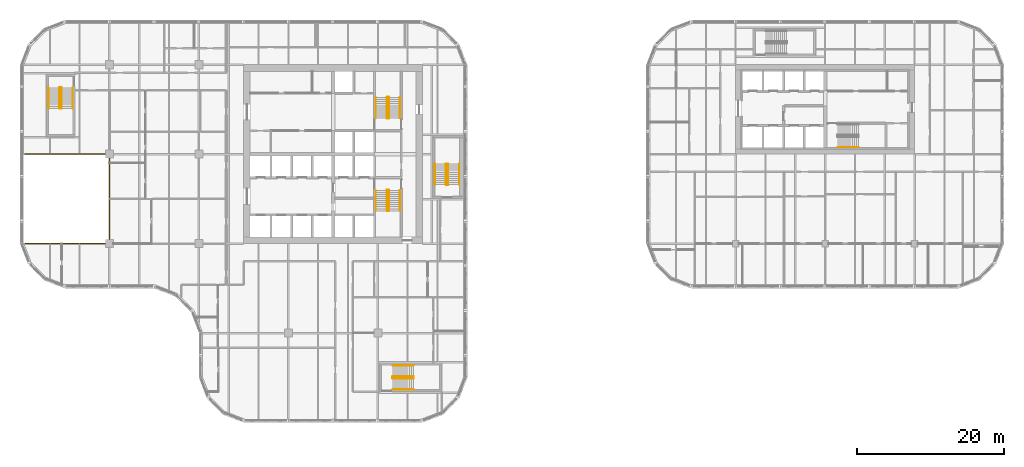
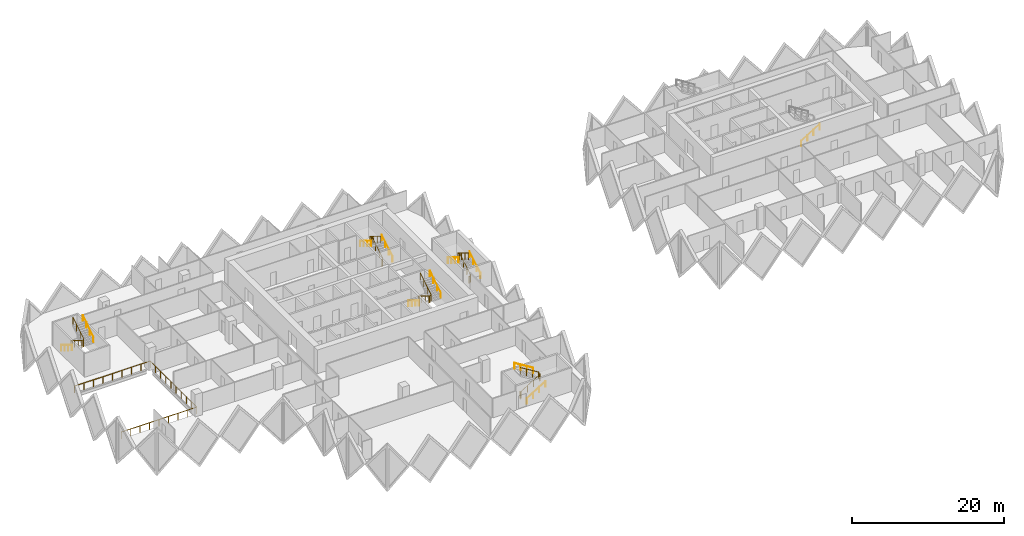
# One storey, part 18 of 19: 17 railings.
"""IFC4 building model written with IfcOpenShell, lengths in metres."""

from ifc_helpers import new_model, si_unit, direction, frame, origin, origin_2d, place, context, subcontext, project, spatial, circle, extrude, material, type_object, element, save


model = new_model("IFC4")

# Units and contexts
model_context = context("Model", 3, precision=1e-05, world=origin(), true_north=direction((0.0, 1.0)))
body_context = subcontext(model_context, "Body", "Model", "MODEL_VIEW")
ifc_project = project(units=[si_unit("LENGTHUNIT", "METRE"), si_unit("AREAUNIT", "SQUARE_METRE"), si_unit("VOLUMEUNIT", "CUBIC_METRE"), si_unit("PLANEANGLEUNIT", "RADIAN"), si_unit("MASSUNIT", "GRAM", prefix="KILO")], contexts=[model_context])

# Site, building, storey
site_placement = place(None, origin())
site = spatial("IfcSite", under=ifc_project, at=site_placement, CompositionType="ELEMENT")
building_placement = place(site_placement, origin())
building = spatial("IfcBuilding", under=site, at=building_placement, Name="Tessera Gate Towers", CompositionType="ELEMENT")
storey_placement = place(building_placement, frame((0.0, 0.0, 29.60009765625)))
storey = spatial("IfcBuildingStorey", under=building, at=storey_placement, Name="L06", CompositionType="ELEMENT", Elevation=29.60009765625)

# Railings
ifc_material_1 = material(Name="Toughened glass with stainless steel handrail", Category="steel")
railing_type_1 = type_object("IfcRailingType", Name="GUARD 1100 GLASS BALUSTRADE", PredefinedType="GUARDRAIL", material=ifc_material_1)
railing_1_placement = place(storey_placement, frame((0.750244140625, 24.39990234375, 0.0)))
element("IfcRailing", 1, at=railing_1_placement, inside=storey, type_object=railing_type_1, Name="Guard", PredefinedType="GUARDRAIL", context=body_context, shape_type="SweptSolid", body=[
    extrude(circle(Radius=0.02490234375, at=origin_2d()), frame((0.0, 0.0, 1.0751953125), z_axis=(1.0, 0.0, 0.0), x_axis=(0.0, 1.0, 0.0)), (0.0, 0.0, 1.0), 11.44970703125),
    extrude(circle(Radius=0.02490234375, at=origin_2d()), frame((11.44970703125, 0.0, 1.0751953125), z_axis=(0.0, 1.0, 0.0), x_axis=(-1.0, 0.0, 0.0)), (0.0, 0.0, 1.0), 12.2001953125),
    extrude(circle(Radius=0.02490234375, at=origin_2d()), frame((11.44970703125, 12.2001953125, 1.0751953125), z_axis=(-1.0, 0.0, 0.0), x_axis=(0.0, -1.0, 0.0)), (0.0, 0.0, 1.0), 11.5),
    extrude(circle(Radius=0.02490234375, at=origin_2d()), origin(), (0.0, 0.0, 1.0), 1.050048828125),
    extrude(circle(Radius=0.02490234375, at=origin_2d()), frame((1.43115234375, 0.0, 0.0)), (0.0, 0.0, 1.0), 1.050048828125),
    extrude(circle(Radius=0.02490234375, at=origin_2d()), frame((2.8623046875, 0.0, 0.0)), (0.0, 0.0, 1.0), 1.050048828125),
    extrude(circle(Radius=0.02490234375, at=origin_2d()), frame((4.293701171875, 0.0, 0.0)), (0.0, 0.0, 1.0), 1.050048828125),
    extrude(circle(Radius=0.02490234375, at=origin_2d()), frame((5.724853515625, 0.0, 0.0)), (0.0, 0.0, 1.0), 1.050048828125),
    extrude(circle(Radius=0.02490234375, at=origin_2d()), frame((7.156005859375, 0.0, 0.0)), (0.0, 0.0, 1.0), 1.050048828125),
    extrude(circle(Radius=0.02490234375, at=origin_2d()), frame((8.58740234375, 0.0, 0.0)), (0.0, 0.0, 1.0), 1.050048828125),
    extrude(circle(Radius=0.02490234375, at=origin_2d()), frame((10.0185546875, 0.0, 0.0)), (0.0, 0.0, 1.0), 1.050048828125),
    extrude(circle(Radius=0.02490234375, at=origin_2d()), frame((11.44970703125, 0.0, 0.0)), (0.0, 0.0, 1.0), 1.050048828125),
    extrude(circle(Radius=0.02490234375, at=origin_2d()), frame((11.44970703125, 1.35546875, 0.0)), (0.0, 0.0, 1.0), 1.050048828125),
    extrude(circle(Radius=0.02490234375, at=origin_2d()), frame((11.44970703125, 2.711181640625, 0.0)), (0.0, 0.0, 1.0), 1.050048828125),
    extrude(circle(Radius=0.02490234375, at=origin_2d()), frame((11.44970703125, 4.066650390625, 0.0)), (0.0, 0.0, 1.0), 1.050048828125),
    extrude(circle(Radius=0.02490234375, at=origin_2d()), frame((11.44970703125, 5.42236328125, 0.0)), (0.0, 0.0, 1.0), 1.050048828125),
    extrude(circle(Radius=0.02490234375, at=origin_2d()), frame((11.44970703125, 6.77783203125, 0.0)), (0.0, 0.0, 1.0), 1.050048828125),
    extrude(circle(Radius=0.02490234375, at=origin_2d()), frame((11.44970703125, 8.133544921875, 0.0)), (0.0, 0.0, 1.0), 1.050048828125),
    extrude(circle(Radius=0.02490234375, at=origin_2d()), frame((11.44970703125, 9.489013671875, 0.0)), (0.0, 0.0, 1.0), 1.050048828125),
    extrude(circle(Radius=0.02490234375, at=origin_2d()), frame((11.44970703125, 10.8447265625, 0.0)), (0.0, 0.0, 1.0), 1.050048828125),
    extrude(circle(Radius=0.02490234375, at=origin_2d()), frame((11.44970703125, 12.2001953125, 0.0)), (0.0, 0.0, 1.0), 1.050048828125),
    extrude(circle(Radius=0.02490234375, at=origin_2d()), frame((10.01220703125, 12.2001953125, 0.0)), (0.0, 0.0, 1.0), 1.050048828125),
    extrude(circle(Radius=0.02490234375, at=origin_2d()), frame((8.57470703125, 12.2001953125, 0.0)), (0.0, 0.0, 1.0), 1.050048828125),
    extrude(circle(Radius=0.02490234375, at=origin_2d()), frame((7.13720703125, 12.2001953125, 0.0)), (0.0, 0.0, 1.0), 1.050048828125),
    extrude(circle(Radius=0.02490234375, at=origin_2d()), frame((5.69970703125, 12.2001953125, 0.0)), (0.0, 0.0, 1.0), 1.050048828125),
    extrude(circle(Radius=0.02490234375, at=origin_2d()), frame((4.26220703125, 12.2001953125, 0.0)), (0.0, 0.0, 1.0), 1.050048828125),
    extrude(circle(Radius=0.02490234375, at=origin_2d()), frame((2.82470703125, 12.2001953125, 0.0)), (0.0, 0.0, 1.0), 1.050048828125),
    extrude(circle(Radius=0.02490234375, at=origin_2d()), frame((1.38720703125, 12.2001953125, 0.0)), (0.0, 0.0, 1.0), 1.050048828125),
    extrude(circle(Radius=0.02490234375, at=origin_2d()), frame((-0.05029296875, 12.2001953125, 0.0)), (0.0, 0.0, 1.0), 1.050048828125),
])
ifc_material_2 = material(Name="Steel 350W", Category="steel")
railing_type_2 = type_object("IfcRailingType", Name="STAIR GUARD 1100", PredefinedType="GUARDRAIL", material=ifc_material_2)
railing_2_placement = place(storey_placement, frame((50.27490234375, 31.72509765625, 0.0)))
element("IfcRailing", 2, at=railing_2_placement, inside=storey, type_object=railing_type_2, Name="L06 ST1 stair guard 1", PredefinedType="GUARDRAIL", context=body_context, shape_type="SweptSolid", body=[
    extrude(circle(Radius=0.02392578125, at=origin_2d()), frame((0.0, 0.0, 1.076171875), z_axis=(-1.0, 0.0, 0.0), x_axis=(0.0, -1.0, 0.0)), (0.0, 0.0, 1.0), 0.199951171875),
    extrude(circle(Radius=0.02392578125, at=origin_2d()), frame((-0.199951171875, 0.0, 1.076171875), z_axis=(-0.268277960024, -0.268277960024, 0.925231793839), x_axis=(0.707106781187, -0.707106781187, 0.0)), (0.0, 0.0, 1.0), 0.1865234375),
    extrude(circle(Radius=0.02392578125, at=origin_2d()), frame((-0.25, -0.050048828125, 1.24853515625), z_axis=(0.0, -0.851089632645, 0.525020415988), x_axis=(1.0, 0.0, 0.0)), (0.0, 0.0, 1.0), 3.2900390625),
    extrude(circle(Radius=0.02392578125, at=origin_2d()), frame((-0.25, -2.85009765625, 2.97607421875), z_axis=(0.707106781187, -0.707106781187, 0.0), x_axis=(0.707106781187, 0.707106781187, 0.0)), (0.0, 0.0, 1.0), 0.07080078125),
    extrude(circle(Radius=0.02392578125, at=origin_2d()), frame((-0.199951171875, -2.900146484375, 2.97607421875), z_axis=(1.0, 0.0, 0.0), x_axis=(0.0, 1.0, 0.0)), (0.0, 0.0, 1.0), 0.199951171875),
    extrude(circle(Radius=0.02392578125, at=origin_2d()), frame((0.0, -2.900146484375, 2.97607421875), z_axis=(0.268277960024, 0.268277960024, 0.925231793839), x_axis=(-0.707106781187, 0.707106781187, 0.0)), (0.0, 0.0, 1.0), 0.1865234375),
    extrude(circle(Radius=0.02392578125, at=origin_2d()), frame((0.050048828125, -2.85009765625, 3.1484375), z_axis=(0.0, 0.851089632645, 0.525020415988), x_axis=(-1.0, 0.0, 0.0)), (0.0, 0.0, 1.0), 3.2900390625),
    extrude(circle(Radius=0.02099609375, at=origin_2d()), origin(), (0.0, 0.0, 1.0), 1.052001953125),
    extrude(circle(Radius=0.02099609375, at=origin_2d()), frame((-0.199951171875, 0.0, 0.0)), (0.0, 0.0, 1.0), 1.052001953125),
    extrude(circle(Radius=0.02099609375, at=origin_2d()), frame((-0.25, -0.050048828125, 0.172607421875)), (0.0, 0.0, 1.0), 1.052001953125),
    extrude(circle(Radius=0.02099609375, at=origin_2d()), frame((-0.25, -0.9833984375, 0.748291015625)), (0.0, 0.0, 1.0), 1.052001953125),
    extrude(circle(Radius=0.02099609375, at=origin_2d()), frame((-0.25, -1.916748046875, 1.32421875)), (0.0, 0.0, 1.0), 1.052001953125),
    extrude(circle(Radius=0.02099609375, at=origin_2d()), frame((-0.25, -2.85009765625, 1.89990234375)), (0.0, 0.0, 1.0), 1.052001953125),
    extrude(circle(Radius=0.02099609375, at=origin_2d()), frame((-0.199951171875, -2.900146484375, 1.89990234375)), (0.0, 0.0, 1.0), 1.052001953125),
    extrude(circle(Radius=0.02099609375, at=origin_2d()), frame((0.0, -2.900146484375, 1.89990234375)), (0.0, 0.0, 1.0), 1.052001953125),
    extrude(circle(Radius=0.02099609375, at=origin_2d()), frame((0.050048828125, -2.85009765625, 2.072509765625)), (0.0, 0.0, 1.0), 1.052001953125),
    extrude(circle(Radius=0.02099609375, at=origin_2d()), frame((0.050048828125, -1.916748046875, 2.648193359375)), (0.0, 0.0, 1.0), 1.052001953125),
    extrude(circle(Radius=0.02099609375, at=origin_2d()), frame((0.050048828125, -0.9833984375, 3.22412109375)), (0.0, 0.0, 1.0), 1.052001953125),
    extrude(circle(Radius=0.02099609375, at=origin_2d()), frame((0.050048828125, -0.050048828125, 3.7998046875)), (0.0, 0.0, 1.0), 1.052001953125),
])
railing_3_placement = place(storey_placement, frame((50.074951171875, 41.47509765625, 0.0)))
element("IfcRailing", 3, at=railing_3_placement, inside=storey, type_object=railing_type_2, Name="L06 ST2 stair guard 1", PredefinedType="GUARDRAIL", context=body_context, shape_type="SweptSolid", body=[
    extrude(circle(Radius=0.02392578125, at=origin_2d()), frame((0.0, 0.0, 1.076171875), z_axis=(1.0, 0.0, 0.0), x_axis=(0.0, 1.0, 0.0)), (0.0, 0.0, 1.0), 0.199951171875),
    extrude(circle(Radius=0.02392578125, at=origin_2d()), frame((0.199951171875, 0.0, 1.076171875), z_axis=(0.268371968888, 0.267062837333, 0.925556009775), x_axis=(-0.705375805398, 0.708833529934, 0.0)), (0.0, 0.0, 1.0), 0.1865234375),
    extrude(circle(Radius=0.02392578125, at=origin_2d()), frame((0.25, 0.0498046875, 1.24853515625), z_axis=(0.0, 0.851089632645, 0.525020415988), x_axis=(-1.0, 0.0, 0.0)), (0.0, 0.0, 1.0), 3.2900390625),
    extrude(circle(Radius=0.02392578125, at=origin_2d()), frame((0.25, 2.849853515625, 2.97607421875), z_axis=(-0.707106781187, 0.707106781187, 0.0), x_axis=(-0.707106781187, -0.707106781187, 0.0)), (0.0, 0.0, 1.0), 0.07080078125),
    extrude(circle(Radius=0.02392578125, at=origin_2d()), frame((0.199951171875, 2.89990234375, 2.97607421875), z_axis=(-1.0, 0.0, 0.0), x_axis=(0.0, -1.0, 0.0)), (0.0, 0.0, 1.0), 0.199951171875),
    extrude(circle(Radius=0.02392578125, at=origin_2d()), frame((0.0, 2.89990234375, 2.97607421875), z_axis=(-0.268277960024, -0.268277960024, 0.925231793839), x_axis=(0.707106781187, -0.707106781187, 0.0)), (0.0, 0.0, 1.0), 0.1865234375),
    extrude(circle(Radius=0.02392578125, at=origin_2d()), frame((-0.050048828125, 2.849853515625, 3.1484375), z_axis=(0.0, -0.851089632645, 0.525020415988), x_axis=(1.0, 0.0, 0.0)), (0.0, 0.0, 1.0), 3.2900390625),
    extrude(circle(Radius=0.02099609375, at=origin_2d()), origin(), (0.0, 0.0, 1.0), 1.052001953125),
    extrude(circle(Radius=0.02099609375, at=origin_2d()), frame((0.199951171875, 0.0, 0.0)), (0.0, 0.0, 1.0), 1.052001953125),
    extrude(circle(Radius=0.02099609375, at=origin_2d()), frame((0.25, 0.0498046875, 0.172607421875)), (0.0, 0.0, 1.0), 1.052001953125),
    extrude(circle(Radius=0.02099609375, at=origin_2d()), frame((0.25, 0.983154296875, 0.748291015625)), (0.0, 0.0, 1.0), 1.052001953125),
    extrude(circle(Radius=0.02099609375, at=origin_2d()), frame((0.25, 1.91650390625, 1.32421875)), (0.0, 0.0, 1.0), 1.052001953125),
    extrude(circle(Radius=0.02099609375, at=origin_2d()), frame((0.25, 2.849853515625, 1.89990234375)), (0.0, 0.0, 1.0), 1.052001953125),
    extrude(circle(Radius=0.02099609375, at=origin_2d()), frame((0.199951171875, 2.89990234375, 1.89990234375)), (0.0, 0.0, 1.0), 1.052001953125),
    extrude(circle(Radius=0.02099609375, at=origin_2d()), frame((0.0, 2.89990234375, 1.89990234375)), (0.0, 0.0, 1.0), 1.052001953125),
    extrude(circle(Radius=0.02099609375, at=origin_2d()), frame((-0.050048828125, 2.849853515625, 2.072509765625)), (0.0, 0.0, 1.0), 1.052001953125),
    extrude(circle(Radius=0.02099609375, at=origin_2d()), frame((-0.050048828125, 1.91650390625, 2.648193359375)), (0.0, 0.0, 1.0), 1.052001953125),
    extrude(circle(Radius=0.02099609375, at=origin_2d()), frame((-0.050048828125, 0.983154296875, 3.22412109375)), (0.0, 0.0, 1.0), 1.052001953125),
    extrude(circle(Radius=0.02099609375, at=origin_2d()), frame((-0.050048828125, 0.0498046875, 3.7998046875)), (0.0, 0.0, 1.0), 1.052001953125),
])
railing_4_placement = place(storey_placement, frame((5.64990234375, 45.699951171875, 0.0)))
element("IfcRailing", 4, at=railing_4_placement, inside=storey, type_object=railing_type_2, Name="L06 ST3 stair guard 1", PredefinedType="GUARDRAIL", context=body_context, shape_type="SweptSolid", body=[
    extrude(circle(Radius=0.02392578125, at=origin_2d()), frame((0.0, 0.0, 1.076171875), z_axis=(-1.0, 0.0, 0.0), x_axis=(0.0, -1.0, 0.0)), (0.0, 0.0, 1.0), 0.199951171875),
    extrude(circle(Radius=0.02392578125, at=origin_2d()), frame((-0.199951171875, 0.0, 1.076171875), z_axis=(-0.268277960024, -0.268277960024, 0.925231793839), x_axis=(0.707106781187, -0.707106781187, 0.0)), (0.0, 0.0, 1.0), 0.1865234375),
    extrude(circle(Radius=0.02392578125, at=origin_2d()), frame((-0.25, -0.050048828125, 1.24853515625), z_axis=(0.0, -0.851069175582, 0.525053576669), x_axis=(1.0, 0.0, 0.0)), (0.0, 0.0, 1.0), 3.289794921875),
    extrude(circle(Radius=0.02392578125, at=origin_2d()), frame((-0.25, -2.849853515625, 2.97607421875), z_axis=(0.707106781187, -0.707106781187, 0.0), x_axis=(0.707106781187, 0.707106781187, 0.0)), (0.0, 0.0, 1.0), 0.07080078125),
    extrude(circle(Radius=0.02392578125, at=origin_2d()), frame((-0.199951171875, -2.89990234375, 2.97607421875), z_axis=(1.0, 0.0, 0.0), x_axis=(0.0, 1.0, 0.0)), (0.0, 0.0, 1.0), 0.199951171875),
    extrude(circle(Radius=0.02392578125, at=origin_2d()), frame((0.0, -2.89990234375, 2.97607421875), z_axis=(0.268277960024, 0.268277960024, 0.925231793839), x_axis=(-0.707106781187, 0.707106781187, 0.0)), (0.0, 0.0, 1.0), 0.1865234375),
    extrude(circle(Radius=0.02392578125, at=origin_2d()), frame((0.050048828125, -2.849853515625, 3.1484375), z_axis=(0.0, 0.851069175582, 0.525053576669), x_axis=(-1.0, 0.0, 0.0)), (0.0, 0.0, 1.0), 3.289794921875),
    extrude(circle(Radius=0.02099609375, at=origin_2d()), origin(), (0.0, 0.0, 1.0), 1.052001953125),
    extrude(circle(Radius=0.02099609375, at=origin_2d()), frame((-0.199951171875, 0.0, 0.0)), (0.0, 0.0, 1.0), 1.052001953125),
    extrude(circle(Radius=0.02099609375, at=origin_2d()), frame((-0.25, -0.050048828125, 0.172607421875)), (0.0, 0.0, 1.0), 1.052001953125),
    extrude(circle(Radius=0.02099609375, at=origin_2d()), frame((-0.25, -0.9833984375, 0.748291015625)), (0.0, 0.0, 1.0), 1.052001953125),
    extrude(circle(Radius=0.02099609375, at=origin_2d()), frame((-0.25, -1.91650390625, 1.32421875)), (0.0, 0.0, 1.0), 1.052001953125),
    extrude(circle(Radius=0.02099609375, at=origin_2d()), frame((-0.25, -2.849853515625, 1.89990234375)), (0.0, 0.0, 1.0), 1.052001953125),
    extrude(circle(Radius=0.02099609375, at=origin_2d()), frame((-0.199951171875, -2.89990234375, 1.89990234375)), (0.0, 0.0, 1.0), 1.052001953125),
    extrude(circle(Radius=0.02099609375, at=origin_2d()), frame((0.0, -2.89990234375, 1.89990234375)), (0.0, 0.0, 1.0), 1.052001953125),
    extrude(circle(Radius=0.02099609375, at=origin_2d()), frame((0.050048828125, -2.849853515625, 2.072509765625)), (0.0, 0.0, 1.0), 1.052001953125),
    extrude(circle(Radius=0.02099609375, at=origin_2d()), frame((0.050048828125, -1.91650390625, 2.648193359375)), (0.0, 0.0, 1.0), 1.052001953125),
    extrude(circle(Radius=0.02099609375, at=origin_2d()), frame((0.050048828125, -0.9833984375, 3.22412109375)), (0.0, 0.0, 1.0), 1.052001953125),
    extrude(circle(Radius=0.02099609375, at=origin_2d()), frame((0.050048828125, -0.050048828125, 3.7998046875)), (0.0, 0.0, 1.0), 1.052001953125),
])
railing_5_placement = place(storey_placement, frame((50.800048828125, 6.25, 0.0)))
element("IfcRailing", 5, at=railing_5_placement, inside=storey, type_object=railing_type_2, Name="L06 ST4 stair guard 1", PredefinedType="GUARDRAIL", context=body_context, shape_type="SweptSolid", body=[
    extrude(circle(Radius=0.02392578125, at=origin_2d()), frame((0.0, 0.0, 1.076171875), z_axis=(0.0, -1.0, 0.0), x_axis=(1.0, 0.0, 0.0)), (0.0, 0.0, 1.0), 0.199951171875),
    extrude(circle(Radius=0.02392578125, at=origin_2d()), frame((0.0, -0.199951171875, 1.076171875), z_axis=(0.268277960024, -0.268277960024, 0.925231793839), x_axis=(0.707106781187, 0.707106781187, 0.0)), (0.0, 0.0, 1.0), 0.1865234375),
    extrude(circle(Radius=0.02392578125, at=origin_2d()), frame((0.050048828125, -0.25, 1.24853515625), z_axis=(0.851069175582, 0.0, 0.525053576669), x_axis=(0.0, 1.0, 0.0)), (0.0, 0.0, 1.0), 3.289794921875),
    extrude(circle(Radius=0.02392578125, at=origin_2d()), frame((2.849853515625, -0.25, 2.97607421875), z_axis=(0.707106781187, 0.707106781187, 0.0), x_axis=(-0.707106781187, 0.707106781187, 0.0)), (0.0, 0.0, 1.0), 0.07080078125),
    extrude(circle(Radius=0.02392578125, at=origin_2d()), frame((2.89990234375, -0.199951171875, 2.97607421875), z_axis=(0.0, 1.0, 0.0), x_axis=(-1.0, 0.0, 0.0)), (0.0, 0.0, 1.0), 0.199951171875),
    extrude(circle(Radius=0.02392578125, at=origin_2d()), frame((2.89990234375, 0.0, 2.97607421875), z_axis=(-0.268277960024, 0.268277960024, 0.925231793839), x_axis=(-0.707106781187, -0.707106781187, 0.0)), (0.0, 0.0, 1.0), 0.1865234375),
    extrude(circle(Radius=0.02392578125, at=origin_2d()), frame((2.849853515625, 0.050048828125, 3.1484375), z_axis=(-0.851069175582, 0.0, 0.525053576669), x_axis=(0.0, -1.0, 0.0)), (0.0, 0.0, 1.0), 3.289794921875),
    extrude(circle(Radius=0.02099609375, at=origin_2d()), origin(), (0.0, 0.0, 1.0), 1.052001953125),
    extrude(circle(Radius=0.02099609375, at=origin_2d()), frame((0.0, -0.199951171875, 0.0)), (0.0, 0.0, 1.0), 1.052001953125),
    extrude(circle(Radius=0.02099609375, at=origin_2d()), frame((0.050048828125, -0.25, 0.172607421875)), (0.0, 0.0, 1.0), 1.052001953125),
    extrude(circle(Radius=0.02099609375, at=origin_2d()), frame((0.9833984375, -0.25, 0.748291015625)), (0.0, 0.0, 1.0), 1.052001953125),
    extrude(circle(Radius=0.02099609375, at=origin_2d()), frame((1.91650390625, -0.25, 1.32421875)), (0.0, 0.0, 1.0), 1.052001953125),
    extrude(circle(Radius=0.02099609375, at=origin_2d()), frame((2.849853515625, -0.25, 1.89990234375)), (0.0, 0.0, 1.0), 1.052001953125),
    extrude(circle(Radius=0.02099609375, at=origin_2d()), frame((2.89990234375, -0.199951171875, 1.89990234375)), (0.0, 0.0, 1.0), 1.052001953125),
    extrude(circle(Radius=0.02099609375, at=origin_2d()), frame((2.89990234375, 0.0, 1.89990234375)), (0.0, 0.0, 1.0), 1.052001953125),
    extrude(circle(Radius=0.02099609375, at=origin_2d()), frame((2.849853515625, 0.050048828125, 2.072509765625)), (0.0, 0.0, 1.0), 1.052001953125),
    extrude(circle(Radius=0.02099609375, at=origin_2d()), frame((1.91650390625, 0.050048828125, 2.648193359375)), (0.0, 0.0, 1.0), 1.052001953125),
    extrude(circle(Radius=0.02099609375, at=origin_2d()), frame((0.9833984375, 0.050048828125, 3.22412109375)), (0.0, 0.0, 1.0), 1.052001953125),
    extrude(circle(Radius=0.02099609375, at=origin_2d()), frame((0.050048828125, 0.050048828125, 3.7998046875)), (0.0, 0.0, 1.0), 1.052001953125),
])
railing_6_placement = place(storey_placement, frame((58.14990234375, 32.39990234375, 0.0)))
element("IfcRailing", 6, at=railing_6_placement, inside=storey, type_object=railing_type_2, Name="L06 ST5 stair guard 1", PredefinedType="GUARDRAIL", context=body_context, shape_type="SweptSolid", body=[
    extrude(circle(Radius=0.02392578125, at=origin_2d()), frame((0.0, 0.0, 1.076171875), z_axis=(1.0, 0.0, 0.0), x_axis=(0.0, 1.0, 0.0)), (0.0, 0.0, 1.0), 0.2001953125),
    extrude(circle(Radius=0.02392578125, at=origin_2d()), frame((0.2001953125, 0.0, 1.076171875), z_axis=(0.267062837333, 0.268371968888, 0.925556009775), x_axis=(-0.708833529934, 0.705375805398, 0.0)), (0.0, 0.0, 1.0), 0.1865234375),
    extrude(circle(Radius=0.02392578125, at=origin_2d()), frame((0.25, 0.050048828125, 1.24853515625), z_axis=(0.0, 0.851089632645, 0.525020415988), x_axis=(-1.0, 0.0, 0.0)), (0.0, 0.0, 1.0), 3.2900390625),
    extrude(circle(Radius=0.02392578125, at=origin_2d()), frame((0.25, 2.85009765625, 2.97607421875), z_axis=(-0.705375805398, 0.708833529934, 0.0), x_axis=(-0.708833529934, -0.705375805398, 0.0)), (0.0, 0.0, 1.0), 0.070556640625),
    extrude(circle(Radius=0.02392578125, at=origin_2d()), frame((0.2001953125, 2.900146484375, 2.97607421875), z_axis=(-1.0, 0.0, 0.0), x_axis=(0.0, -1.0, 0.0)), (0.0, 0.0, 1.0), 0.2001953125),
    extrude(circle(Radius=0.02392578125, at=origin_2d()), frame((0.0, 2.900146484375, 2.97607421875), z_axis=(-0.267062837333, -0.268371968888, 0.925556009775), x_axis=(0.708833529934, -0.705375805398, 0.0)), (0.0, 0.0, 1.0), 0.1865234375),
    extrude(circle(Radius=0.02392578125, at=origin_2d()), frame((-0.0498046875, 2.85009765625, 3.1484375), z_axis=(0.0, -0.851089632645, 0.525020415988), x_axis=(1.0, 0.0, 0.0)), (0.0, 0.0, 1.0), 3.2900390625),
    extrude(circle(Radius=0.02099609375, at=origin_2d()), origin(), (0.0, 0.0, 1.0), 1.052001953125),
    extrude(circle(Radius=0.02099609375, at=origin_2d()), frame((0.2001953125, 0.0, 0.0)), (0.0, 0.0, 1.0), 1.052001953125),
    extrude(circle(Radius=0.02099609375, at=origin_2d()), frame((0.25, 0.050048828125, 0.172607421875)), (0.0, 0.0, 1.0), 1.052001953125),
    extrude(circle(Radius=0.02099609375, at=origin_2d()), frame((0.25, 0.9833984375, 0.748291015625)), (0.0, 0.0, 1.0), 1.052001953125),
    extrude(circle(Radius=0.02099609375, at=origin_2d()), frame((0.25, 1.916748046875, 1.32421875)), (0.0, 0.0, 1.0), 1.052001953125),
    extrude(circle(Radius=0.02099609375, at=origin_2d()), frame((0.25, 2.85009765625, 1.89990234375)), (0.0, 0.0, 1.0), 1.052001953125),
    extrude(circle(Radius=0.02099609375, at=origin_2d()), frame((0.2001953125, 2.900146484375, 1.89990234375)), (0.0, 0.0, 1.0), 1.052001953125),
    extrude(circle(Radius=0.02099609375, at=origin_2d()), frame((0.0, 2.900146484375, 1.89990234375)), (0.0, 0.0, 1.0), 1.052001953125),
    extrude(circle(Radius=0.02099609375, at=origin_2d()), frame((-0.0498046875, 2.85009765625, 2.072509765625)), (0.0, 0.0, 1.0), 1.052001953125),
    extrude(circle(Radius=0.02099609375, at=origin_2d()), frame((-0.0498046875, 1.916748046875, 2.648193359375)), (0.0, 0.0, 1.0), 1.052001953125),
    extrude(circle(Radius=0.02099609375, at=origin_2d()), frame((-0.0498046875, 0.9833984375, 3.22412109375)), (0.0, 0.0, 1.0), 1.052001953125),
    extrude(circle(Radius=0.02099609375, at=origin_2d()), frame((-0.0498046875, 0.050048828125, 3.7998046875)), (0.0, 0.0, 1.0), 1.052001953125),
])
ifc_material_3 = material(Name="Steel 350W", Category="steel")
railing_type_3 = type_object("IfcRailingType", Name="STAIR HANDRAIL 900", PredefinedType="HANDRAIL", material=ifc_material_3)
railing_7_placement = place(storey_placement, frame((48.52490234375, 31.675048828125, 0.172607421875)))
element("IfcRailing", 7, at=railing_7_placement, inside=storey, type_object=railing_type_3, Name="L06 ST1 stair handrail 1", PredefinedType="HANDRAIL", context=body_context, shape_type="SweptSolid", body=[
    extrude(circle(Radius=0.02392578125, at=origin_2d()), frame((0.0, 0.0, 0.8759765625), z_axis=(0.0, -0.851089632645, 0.525020415988), x_axis=(1.0, 0.0, 0.0)), (0.0, 0.0, 1.0), 3.2900390625),
    extrude(circle(Radius=0.02099609375, at=origin_2d()), origin(), (0.0, 0.0, 1.0), 0.851806640625),
    extrude(circle(Radius=0.02099609375, at=origin_2d()), frame((0.0, -0.933349609375, 0.57568359375)), (0.0, 0.0, 1.0), 0.851806640625),
    extrude(circle(Radius=0.02099609375, at=origin_2d()), frame((0.0, -1.86669921875, 1.151611328125)), (0.0, 0.0, 1.0), 0.851806640625),
    extrude(circle(Radius=0.02099609375, at=origin_2d()), frame((0.0, -2.800048828125, 1.727294921875)), (0.0, 0.0, 1.0), 0.851806640625),
])
for number, where, name in (
    (8, (51.824951171875, 28.875, 2.072509765625), "L06 ST1 stair handrail 2"),
    (9, (51.824951171875, 41.52490234375, 0.172607421875), "L06 ST2 stair handrail 1"),
):
    element("IfcRailing", number, at=place(storey_placement, frame(where)), inside=storey, type_object=railing_type_3, Name=name, PredefinedType="HANDRAIL", context=body_context, shape_type="SweptSolid", body=[
        extrude(circle(Radius=0.02392578125, at=origin_2d()), frame((0.0, 0.0, 0.8759765625), z_axis=(0.0, 0.851089632645, 0.525020415988), x_axis=(-1.0, 0.0, 0.0)), (0.0, 0.0, 1.0), 3.2900390625),
        extrude(circle(Radius=0.02099609375, at=origin_2d()), origin(), (0.0, 0.0, 1.0), 0.851806640625),
        extrude(circle(Radius=0.02099609375, at=origin_2d()), frame((0.0, 0.933349609375, 0.57568359375)), (0.0, 0.0, 1.0), 0.851806640625),
        extrude(circle(Radius=0.02099609375, at=origin_2d()), frame((0.0, 1.86669921875, 1.151611328125)), (0.0, 0.0, 1.0), 0.851806640625),
        extrude(circle(Radius=0.02099609375, at=origin_2d()), frame((0.0, 2.800048828125, 1.727294921875)), (0.0, 0.0, 1.0), 0.851806640625),
    ])
railing_8_placement = place(storey_placement, frame((48.52490234375, 44.324951171875, 2.072509765625)))
element("IfcRailing", 10, at=railing_8_placement, inside=storey, type_object=railing_type_3, Name="L06 ST2 stair handrail 2", PredefinedType="HANDRAIL", context=body_context, shape_type="SweptSolid", body=[
    extrude(circle(Radius=0.02392578125, at=origin_2d()), frame((0.0, 0.0, 0.8759765625), z_axis=(0.0, -0.851089632645, 0.525020415988), x_axis=(1.0, 0.0, 0.0)), (0.0, 0.0, 1.0), 3.2900390625),
    extrude(circle(Radius=0.02099609375, at=origin_2d()), origin(), (0.0, 0.0, 1.0), 0.851806640625),
    extrude(circle(Radius=0.02099609375, at=origin_2d()), frame((0.0, -0.933349609375, 0.57568359375)), (0.0, 0.0, 1.0), 0.851806640625),
    extrude(circle(Radius=0.02099609375, at=origin_2d()), frame((0.0, -1.86669921875, 1.151611328125)), (0.0, 0.0, 1.0), 0.851806640625),
    extrude(circle(Radius=0.02099609375, at=origin_2d()), frame((0.0, -2.800048828125, 1.727294921875)), (0.0, 0.0, 1.0), 0.851806640625),
])
railing_9_placement = place(storey_placement, frame((3.89990234375, 45.64990234375, 0.172607421875)))
element("IfcRailing", 11, at=railing_9_placement, inside=storey, type_object=railing_type_3, Name="L06 ST3 stair handrail 1", PredefinedType="HANDRAIL", context=body_context, shape_type="SweptSolid", body=[
    extrude(circle(Radius=0.02392578125, at=origin_2d()), frame((0.0, 0.0, 0.8759765625), z_axis=(0.0, -0.851069175582, 0.525053576669), x_axis=(1.0, 0.0, 0.0)), (0.0, 0.0, 1.0), 3.289794921875),
    extrude(circle(Radius=0.02099609375, at=origin_2d()), origin(), (0.0, 0.0, 1.0), 0.851806640625),
    extrude(circle(Radius=0.02099609375, at=origin_2d()), frame((0.0, -0.933349609375, 0.57568359375)), (0.0, 0.0, 1.0), 0.851806640625),
    extrude(circle(Radius=0.02099609375, at=origin_2d()), frame((0.0, -1.866455078125, 1.151611328125)), (0.0, 0.0, 1.0), 0.851806640625),
    extrude(circle(Radius=0.02099609375, at=origin_2d()), frame((0.0, -2.7998046875, 1.727294921875)), (0.0, 0.0, 1.0), 0.851806640625),
])
railing_10_placement = place(storey_placement, frame((7.199951171875, 42.85009765625, 2.072509765625)))
element("IfcRailing", 12, at=railing_10_placement, inside=storey, type_object=railing_type_3, Name="L06 ST3 stair handrail 2", PredefinedType="HANDRAIL", context=body_context, shape_type="SweptSolid", body=[
    extrude(circle(Radius=0.02392578125, at=origin_2d()), frame((0.0, 0.0, 0.8759765625), z_axis=(0.0, 0.851069175582, 0.525053576669), x_axis=(-1.0, 0.0, 0.0)), (0.0, 0.0, 1.0), 3.289794921875),
    extrude(circle(Radius=0.02099609375, at=origin_2d()), origin(), (0.0, 0.0, 1.0), 0.851806640625),
    extrude(circle(Radius=0.02099609375, at=origin_2d()), frame((0.0, 0.933349609375, 0.57568359375)), (0.0, 0.0, 1.0), 0.851806640625),
    extrude(circle(Radius=0.02099609375, at=origin_2d()), frame((0.0, 1.866455078125, 1.151611328125)), (0.0, 0.0, 1.0), 0.851806640625),
    extrude(circle(Radius=0.02099609375, at=origin_2d()), frame((0.0, 2.7998046875, 1.727294921875)), (0.0, 0.0, 1.0), 0.851806640625),
])
railing_11_placement = place(storey_placement, frame((50.85009765625, 4.5, 0.172607421875)))
element("IfcRailing", 13, at=railing_11_placement, inside=storey, type_object=railing_type_3, Name="L06 ST4 stair handrail 1", PredefinedType="HANDRAIL", context=body_context, shape_type="SweptSolid", body=[
    extrude(circle(Radius=0.02392578125, at=origin_2d()), frame((0.0, 0.0, 0.8759765625), z_axis=(0.851069175582, 0.0, 0.525053576669), x_axis=(0.0, 1.0, 0.0)), (0.0, 0.0, 1.0), 3.289794921875),
    extrude(circle(Radius=0.02099609375, at=origin_2d()), origin(), (0.0, 0.0, 1.0), 0.851806640625),
    extrude(circle(Radius=0.02099609375, at=origin_2d()), frame((0.933349609375, 0.0, 0.57568359375)), (0.0, 0.0, 1.0), 0.851806640625),
    extrude(circle(Radius=0.02099609375, at=origin_2d()), frame((1.866455078125, 0.0, 1.151611328125)), (0.0, 0.0, 1.0), 0.851806640625),
    extrude(circle(Radius=0.02099609375, at=origin_2d()), frame((2.7998046875, 0.0, 1.727294921875)), (0.0, 0.0, 1.0), 0.851806640625),
])
railing_12_placement = place(storey_placement, frame((53.64990234375, 7.800048828125, 2.072509765625)))
element("IfcRailing", 14, at=railing_12_placement, inside=storey, type_object=railing_type_3, Name="L06 ST4 stair handrail 2", PredefinedType="HANDRAIL", context=body_context, shape_type="SweptSolid", body=[
    extrude(circle(Radius=0.02392578125, at=origin_2d()), frame((0.0, 0.0, 0.8759765625), z_axis=(-0.851069175582, 0.0, 0.525053576669), x_axis=(0.0, -1.0, 0.0)), (0.0, 0.0, 1.0), 3.289794921875),
    extrude(circle(Radius=0.02099609375, at=origin_2d()), origin(), (0.0, 0.0, 1.0), 0.851806640625),
    extrude(circle(Radius=0.02099609375, at=origin_2d()), frame((-0.933349609375, 0.0, 0.57568359375)), (0.0, 0.0, 1.0), 0.851806640625),
    extrude(circle(Radius=0.02099609375, at=origin_2d()), frame((-1.866455078125, 0.0, 1.151611328125)), (0.0, 0.0, 1.0), 0.851806640625),
    extrude(circle(Radius=0.02099609375, at=origin_2d()), frame((-2.7998046875, 0.0, 1.727294921875)), (0.0, 0.0, 1.0), 0.851806640625),
])
railing_13_placement = place(storey_placement, frame((59.89990234375, 32.449951171875, 0.172607421875)))
element("IfcRailing", 15, at=railing_13_placement, inside=storey, type_object=railing_type_3, Name="L06 ST5 stair handrail 1", PredefinedType="HANDRAIL", context=body_context, shape_type="SweptSolid", body=[
    extrude(circle(Radius=0.02392578125, at=origin_2d()), frame((0.0, 0.0, 0.8759765625), z_axis=(0.0, 0.851089632645, 0.525020415988), x_axis=(-1.0, 0.0, 0.0)), (0.0, 0.0, 1.0), 3.2900390625),
    extrude(circle(Radius=0.02099609375, at=origin_2d()), origin(), (0.0, 0.0, 1.0), 0.851806640625),
    extrude(circle(Radius=0.02099609375, at=origin_2d()), frame((0.0, 0.933349609375, 0.57568359375)), (0.0, 0.0, 1.0), 0.851806640625),
    extrude(circle(Radius=0.02099609375, at=origin_2d()), frame((0.0, 1.86669921875, 1.151611328125)), (0.0, 0.0, 1.0), 0.851806640625),
    extrude(circle(Radius=0.02099609375, at=origin_2d()), frame((0.0, 2.800048828125, 1.727294921875)), (0.0, 0.0, 1.0), 0.851806640625),
])
railing_14_placement = place(storey_placement, frame((56.60009765625, 35.25, 2.072509765625)))
element("IfcRailing", 16, at=railing_14_placement, inside=storey, type_object=railing_type_3, Name="L06 ST5 stair handrail 2", PredefinedType="HANDRAIL", context=body_context, shape_type="SweptSolid", body=[
    extrude(circle(Radius=0.02392578125, at=origin_2d()), frame((0.0, 0.0, 0.8759765625), z_axis=(0.0, -0.851089632645, 0.525020415988), x_axis=(1.0, 0.0, 0.0)), (0.0, 0.0, 1.0), 3.2900390625),
    extrude(circle(Radius=0.02099609375, at=origin_2d()), origin(), (0.0, 0.0, 1.0), 0.851806640625),
    extrude(circle(Radius=0.02099609375, at=origin_2d()), frame((0.0, -0.933349609375, 0.57568359375)), (0.0, 0.0, 1.0), 0.851806640625),
    extrude(circle(Radius=0.02099609375, at=origin_2d()), frame((0.0, -1.86669921875, 1.151611328125)), (0.0, 0.0, 1.0), 0.851806640625),
    extrude(circle(Radius=0.02099609375, at=origin_2d()), frame((0.0, -2.800048828125, 1.727294921875)), (0.0, 0.0, 1.0), 0.851806640625),
])
railing_15_placement = place(storey_placement, frame((111.550048828125, 37.550048828125, 0.172607421875)))
element("IfcRailing", 17, at=railing_15_placement, inside=storey, type_object=railing_type_3, Name="L06 ST6 stair handrail 1", PredefinedType="HANDRAIL", context=body_context, shape_type="SweptSolid", body=[
    extrude(circle(Radius=0.02392578125, at=origin_2d()), frame((0.0, 0.0, 0.8759765625), z_axis=(0.851089632645, 0.0, 0.525020415988), x_axis=(0.0, 1.0, 0.0)), (0.0, 0.0, 1.0), 3.2900390625),
    extrude(circle(Radius=0.02099609375, at=origin_2d()), origin(), (0.0, 0.0, 1.0), 0.851806640625),
    extrude(circle(Radius=0.02099609375, at=origin_2d()), frame((0.933349609375, 0.0, 0.57568359375)), (0.0, 0.0, 1.0), 0.851806640625),
    extrude(circle(Radius=0.02099609375, at=origin_2d()), frame((1.86669921875, 0.0, 1.151611328125)), (0.0, 0.0, 1.0), 0.851806640625),
    extrude(circle(Radius=0.02099609375, at=origin_2d()), frame((2.800048828125, 0.0, 1.727294921875)), (0.0, 0.0, 1.0), 0.851806640625),
])

save(model, "model.ifc")
